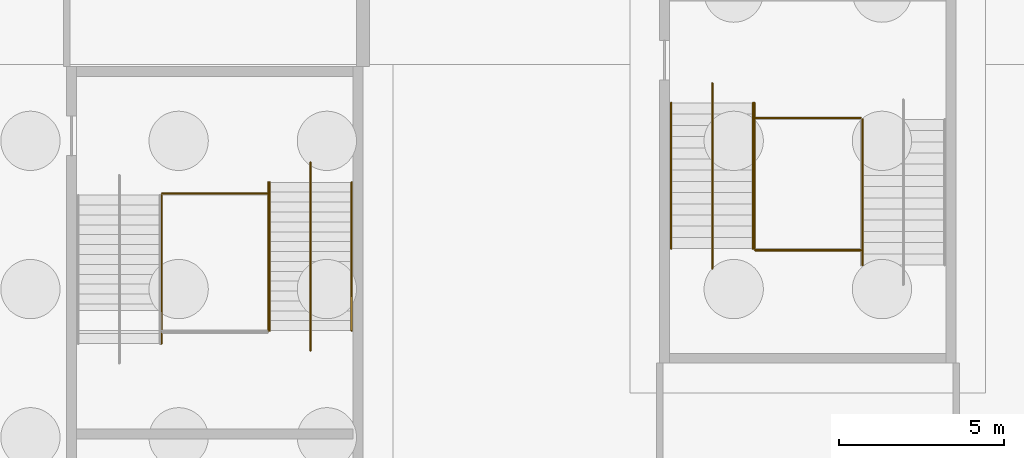
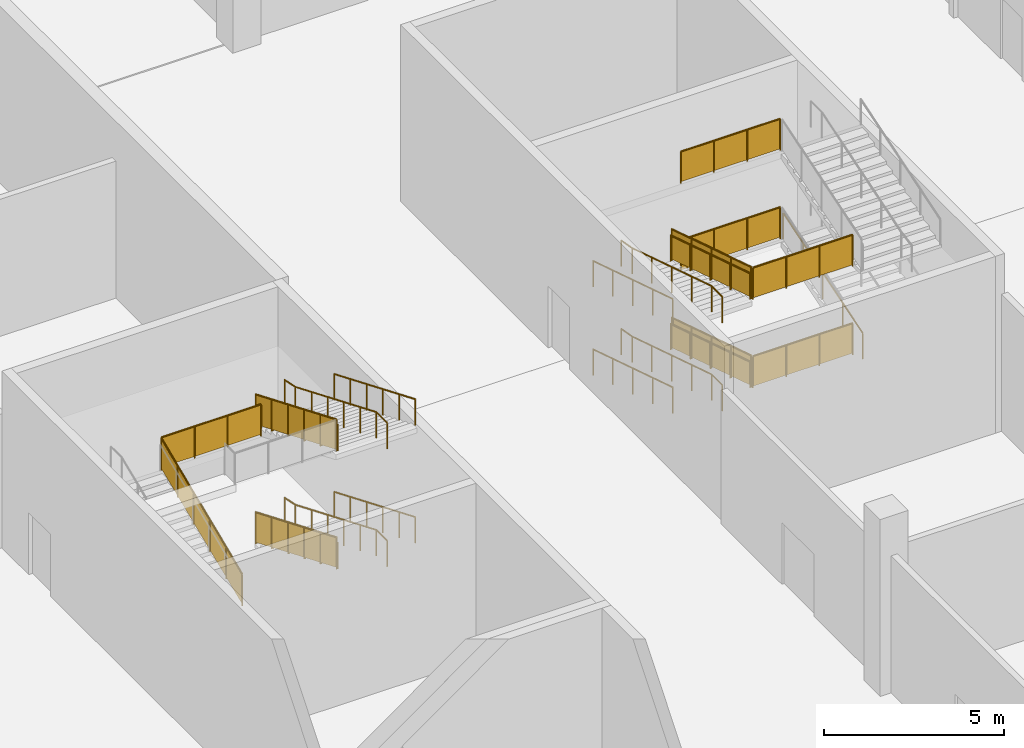
# One storey, part 36 of 42: 23 railings.
"""IFC4 building model written with IfcOpenShell, lengths in metres."""

from ifc_helpers import new_model, si_unit, direction, frame, origin, origin_2d, place, context, subcontext, project, spatial, polyline, circle, outline, extrude, material, type_object, element, save


model = new_model("IFC4")

# Units and contexts
model_context = context("Model", 3, precision=1e-05, world=origin(), true_north=direction((0.0, 1.0)))
body_context = subcontext(model_context, "Body", "Model", "MODEL_VIEW")
ifc_project = project(units=[si_unit("LENGTHUNIT", "METRE"), si_unit("AREAUNIT", "SQUARE_METRE"), si_unit("VOLUMEUNIT", "CUBIC_METRE"), si_unit("PLANEANGLEUNIT", "RADIAN"), si_unit("MASSUNIT", "GRAM", prefix="KILO")], contexts=[model_context])

# Site, building, storey
site_placement = place(None, origin())
site = spatial("IfcSite", under=ifc_project, at=site_placement, CompositionType="ELEMENT")
building_placement = place(site_placement, origin())
building = spatial("IfcBuilding", under=site, at=building_placement, Name="Silverbay Arena", CompositionType="ELEMENT")
storey_placement = place(building_placement, frame((0.0, 0.0, -6.0)))
storey = spatial("IfcBuildingStorey", under=building, at=storey_placement, Name="B1", CompositionType="ELEMENT", Elevation=-6.0)

# Railings
ifc_material_1 = material(Name="Stainless steel", Category="steel")
railing_type_1 = type_object("IfcRailingType", Name="Stair guard 1100", PredefinedType="GUARDRAIL", material=ifc_material_1)
railing_1_placement = place(storey_placement, frame((200.875, 61.899169921875, 0.107177734375)))
element("IfcRailing", 1, at=railing_1_placement, inside=storey, type_object=railing_type_1, Name="Stair ST-E1 B1 to L00 flight 1 guard right", PredefinedType="GUARDRAIL", context=body_context, shape_type="SweptSolid", body=[
    extrude(circle(Radius=0.02392578125, at=origin_2d()), frame((0.0, 0.0, 1.076171875), z_axis=(0.0, -0.953769580967, 0.300538826811), x_axis=(1.0, 0.0, 0.0)), (0.0, 0.0, 1.0), 4.634521484375),
    extrude(outline(polyline([(-0.008056640625, 0.04736328125), (1.113037109375, 0.400634765625), (1.113037109375, 1.40380859375), (-0.008056640625, 1.050537109375), (-0.008056640625, 0.04736328125)])), frame((0.0029296875, 0.0, 0.0), z_axis=(-1.0, 0.0, 0.0), x_axis=(0.0, -1.0, 0.0)), (0.0, 0.0, 1.0), 0.006103515625),
    extrude(outline(polyline([(-0.008056640625, 0.395751953125), (1.113037109375, 0.7490234375), (1.113037109375, 1.751953125), (-0.008056640625, 1.398681640625), (-0.008056640625, 0.395751953125)])), frame((0.0029296875, -1.10498046875, 0.0), z_axis=(-1.0, 0.0, 0.0), x_axis=(0.0, -1.0, 0.0)), (0.0, 0.0, 1.0), 0.006103515625),
    extrude(outline(polyline([(-0.008056640625, 0.743896484375), (1.113037109375, 1.09716796875), (1.113037109375, 2.10009765625), (-0.008056640625, 1.746826171875), (-0.008056640625, 0.743896484375)])), frame((0.0029296875, -2.2099609375, 0.0), z_axis=(-1.0, 0.0, 0.0), x_axis=(0.0, -1.0, 0.0)), (0.0, 0.0, 1.0), 0.006103515625),
    extrude(outline(polyline([(-0.008056640625, 1.092041015625), (1.113037109375, 1.4453125), (1.113037109375, 2.4482421875), (-0.008056640625, 2.09521484375), (-0.008056640625, 1.092041015625)])), frame((0.0029296875, -3.315185546875, 0.0), z_axis=(-1.0, 0.0, 0.0), x_axis=(0.0, -1.0, 0.0)), (0.0, 0.0, 1.0), 0.006103515625),
    extrude(circle(Radius=0.02099609375, at=origin_2d()), origin(), (0.0, 0.0, 1.0), 1.052001953125),
    extrude(circle(Radius=0.02099609375, at=origin_2d()), frame((0.0, -1.10498046875, 0.34814453125)), (0.0, 0.0, 1.0), 1.052001953125),
    extrude(circle(Radius=0.02099609375, at=origin_2d()), frame((0.0, -2.2099609375, 0.6962890625)), (0.0, 0.0, 1.0), 1.052001953125),
    extrude(circle(Radius=0.02099609375, at=origin_2d()), frame((0.0, -3.315185546875, 1.044677734375)), (0.0, 0.0, 1.0), 1.052001953125),
    extrude(circle(Radius=0.02099609375, at=origin_2d()), frame((0.0, -4.420166015625, 1.392822265625)), (0.0, 0.0, 1.0), 1.052001953125),
])
railing_2_placement = place(storey_placement, frame((200.875, 61.899169921875, 3.107177734375)))
element("IfcRailing", 2, at=railing_2_placement, inside=storey, type_object=railing_type_1, Name="Stair ST-E1 B1 to L00 flight 3 guard right", PredefinedType="GUARDRAIL", context=body_context, shape_type="SweptSolid", body=[
    extrude(circle(Radius=0.02392578125, at=origin_2d()), frame((0.0, 0.0, 1.076171875), z_axis=(0.0, -0.953769580967, 0.300538826811), x_axis=(1.0, 0.0, 0.0)), (0.0, 0.0, 1.0), 4.634521484375),
    extrude(outline(polyline([(-0.008056640625, 0.04736328125), (1.113037109375, 0.400634765625), (1.113037109375, 1.40380859375), (-0.008056640625, 1.050537109375), (-0.008056640625, 0.04736328125)])), frame((0.0029296875, 0.0, 0.0), z_axis=(-1.0, 0.0, 0.0), x_axis=(0.0, -1.0, 0.0)), (0.0, 0.0, 1.0), 0.006103515625),
    extrude(outline(polyline([(-0.008056640625, 0.395751953125), (1.113037109375, 0.7490234375), (1.113037109375, 1.751953125), (-0.008056640625, 1.398681640625), (-0.008056640625, 0.395751953125)])), frame((0.0029296875, -1.10498046875, 0.0), z_axis=(-1.0, 0.0, 0.0), x_axis=(0.0, -1.0, 0.0)), (0.0, 0.0, 1.0), 0.006103515625),
    extrude(outline(polyline([(-0.008056640625, 0.743896484375), (1.113037109375, 1.09716796875), (1.113037109375, 2.10009765625), (-0.008056640625, 1.746826171875), (-0.008056640625, 0.743896484375)])), frame((0.0029296875, -2.2099609375, 0.0), z_axis=(-1.0, 0.0, 0.0), x_axis=(0.0, -1.0, 0.0)), (0.0, 0.0, 1.0), 0.006103515625),
    extrude(outline(polyline([(-0.008056640625, 1.092041015625), (1.113037109375, 1.4453125), (1.113037109375, 2.4482421875), (-0.008056640625, 2.09521484375), (-0.008056640625, 1.092041015625)])), frame((0.0029296875, -3.315185546875, 0.0), z_axis=(-1.0, 0.0, 0.0), x_axis=(0.0, -1.0, 0.0)), (0.0, 0.0, 1.0), 0.006103515625),
    extrude(circle(Radius=0.02099609375, at=origin_2d()), origin(), (0.0, 0.0, 1.0), 1.052001953125),
    extrude(circle(Radius=0.02099609375, at=origin_2d()), frame((0.0, -1.10498046875, 0.34814453125)), (0.0, 0.0, 1.0), 1.052001953125),
    extrude(circle(Radius=0.02099609375, at=origin_2d()), frame((0.0, -2.2099609375, 0.6962890625)), (0.0, 0.0, 1.0), 1.052001953125),
    extrude(circle(Radius=0.02099609375, at=origin_2d()), frame((0.0, -3.315185546875, 1.044677734375)), (0.0, 0.0, 1.0), 1.052001953125),
    extrude(circle(Radius=0.02099609375, at=origin_2d()), frame((0.0, -4.420166015625, 1.392822265625)), (0.0, 0.0, 1.0), 1.052001953125),
])
for number, where, name in (
    (3, (200.89990234375, 57.428955078125, 1.5), "Stair ST-E1 B1 to L00 landing 1 guard"),
    (4, (200.89990234375, 61.449951171875, 3.0), "Stair ST-E1 B1 to L00 landing 2 guard"),
    (5, (200.89990234375, 57.428955078125, 4.5), "Stair ST-E1 B1 to L00 landing 3 guard"),
    (6, (200.89990234375, 61.449951171875, 6.0), "Stair ST-E1 B1 to L00 landing 4 guard"),
):
    element("IfcRailing", number, at=place(storey_placement, frame(where)), inside=storey, type_object=railing_type_1, Name=name, PredefinedType="GUARDRAIL", context=body_context, shape_type="SweptSolid", body=[
        extrude(circle(Radius=0.02392578125, at=origin_2d()), frame((0.0, 0.0, 1.076171875), z_axis=(1.0, 0.0, 0.0), x_axis=(0.0, 1.0, 0.0)), (0.0, 0.0, 1.0), 3.2001953125),
        extrude(outline(polyline([(-0.008056640625, 0.050048828125), (1.07470703125, 0.050048828125), (1.07470703125, 1.052978515625), (-0.008056640625, 1.052978515625), (-0.008056640625, 0.050048828125)])), frame((0.0, 0.0029296875, 0.0), z_axis=(0.0, -1.0, 0.0), x_axis=(1.0, 0.0, 0.0)), (0.0, 0.0, 1.0), 0.006103515625),
        extrude(outline(polyline([(-0.008056640625, 0.050048828125), (1.07470703125, 0.050048828125), (1.07470703125, 1.052978515625), (-0.008056640625, 1.052978515625), (-0.008056640625, 0.050048828125)])), frame((1.066650390625, 0.0029296875, 0.0), z_axis=(0.0, -1.0, 0.0), x_axis=(1.0, 0.0, 0.0)), (0.0, 0.0, 1.0), 0.006103515625),
        extrude(outline(polyline([(-0.008056640625, 0.050048828125), (1.07470703125, 0.050048828125), (1.07470703125, 1.052978515625), (-0.008056640625, 1.052978515625), (-0.008056640625, 0.050048828125)])), frame((2.133544921875, 0.0029296875, 0.0), z_axis=(0.0, -1.0, 0.0), x_axis=(1.0, 0.0, 0.0)), (0.0, 0.0, 1.0), 0.006103515625),
        extrude(circle(Radius=0.02099609375, at=origin_2d()), origin(), (0.0, 0.0, 1.0), 1.052001953125),
        extrude(circle(Radius=0.02099609375, at=origin_2d()), frame((1.066650390625, 0.0, 0.0)), (0.0, 0.0, 1.0), 1.052001953125),
        extrude(circle(Radius=0.02099609375, at=origin_2d()), frame((2.133544921875, 0.0, 0.0)), (0.0, 0.0, 1.0), 1.052001953125),
        extrude(circle(Radius=0.02099609375, at=origin_2d()), frame((3.2001953125, 0.0, 0.0)), (0.0, 0.0, 1.0), 1.052001953125),
    ])
railing_3_placement = place(storey_placement, frame((186.125, 59.489990234375, 0.125)))
element("IfcRailing", 7, at=railing_3_placement, inside=storey, type_object=railing_type_1, Name="Stair ST-SE2 B1 to L00 flight 1 guard left", PredefinedType="GUARDRAIL", context=body_context, shape_type="SweptSolid", body=[
    extrude(circle(Radius=0.02392578125, at=origin_2d()), frame((0.0, 0.0, 1.076171875), z_axis=(0.0, -0.923076923077, 0.384615384615), x_axis=(1.0, 0.0, 0.0)), (0.0, 0.0, 1.0), 4.875),
    extrude(outline(polyline([(-0.008056640625, 0.046630859375), (0.907958984375, 0.42822265625), (0.907958984375, 1.431396484375), (-0.008056640625, 1.049560546875), (-0.008056640625, 0.046630859375)])), frame((0.0029296875, 0.0, 0.0), z_axis=(-1.0, 0.0, 0.0), x_axis=(0.0, -1.0, 0.0)), (0.0, 0.0, 1.0), 0.006103515625),
    extrude(outline(polyline([(-0.008056640625, 0.421630859375), (0.907958984375, 0.80322265625), (0.907958984375, 1.806396484375), (-0.008056640625, 1.424560546875), (-0.008056640625, 0.421630859375)])), frame((0.0029296875, -0.89990234375, 0.0), z_axis=(-1.0, 0.0, 0.0), x_axis=(0.0, -1.0, 0.0)), (0.0, 0.0, 1.0), 0.006103515625),
    extrude(outline(polyline([(-0.008056640625, 0.796630859375), (0.907958984375, 1.17822265625), (0.907958984375, 2.181396484375), (-0.008056640625, 1.799560546875), (-0.008056640625, 0.796630859375)])), frame((0.0029296875, -1.800048828125, 0.0), z_axis=(-1.0, 0.0, 0.0), x_axis=(0.0, -1.0, 0.0)), (0.0, 0.0, 1.0), 0.006103515625),
    extrude(outline(polyline([(-0.008056640625, 1.171630859375), (0.907958984375, 1.55322265625), (0.907958984375, 2.556396484375), (-0.008056640625, 2.174560546875), (-0.008056640625, 1.171630859375)])), frame((0.0029296875, -2.699951171875, 0.0), z_axis=(-1.0, 0.0, 0.0), x_axis=(0.0, -1.0, 0.0)), (0.0, 0.0, 1.0), 0.006103515625),
    extrude(outline(polyline([(-0.008056640625, 1.546630859375), (0.907958984375, 1.92822265625), (0.907958984375, 2.931396484375), (-0.008056640625, 2.549560546875), (-0.008056640625, 1.546630859375)])), frame((0.0029296875, -3.60009765625, 0.0), z_axis=(-1.0, 0.0, 0.0), x_axis=(0.0, -1.0, 0.0)), (0.0, 0.0, 1.0), 0.006103515625),
    extrude(circle(Radius=0.02099609375, at=origin_2d()), origin(), (0.0, 0.0, 1.0), 1.052001953125),
    extrude(circle(Radius=0.02099609375, at=origin_2d()), frame((0.0, -0.89990234375, 0.375)), (0.0, 0.0, 1.0), 1.052001953125),
    extrude(circle(Radius=0.02099609375, at=origin_2d()), frame((0.0, -1.800048828125, 0.75)), (0.0, 0.0, 1.0), 1.052001953125),
    extrude(circle(Radius=0.02099609375, at=origin_2d()), frame((0.0, -2.699951171875, 1.125)), (0.0, 0.0, 1.0), 1.052001953125),
    extrude(circle(Radius=0.02099609375, at=origin_2d()), frame((0.0, -3.60009765625, 1.5)), (0.0, 0.0, 1.0), 1.052001953125),
    extrude(circle(Radius=0.02099609375, at=origin_2d()), frame((0.0, -4.5, 1.875)), (0.0, 0.0, 1.0), 1.052001953125),
])
railing_4_placement = place(storey_placement, frame((182.875, 54.60009765625, 2.125)))
element("IfcRailing", 8, at=railing_4_placement, inside=storey, type_object=railing_type_1, Name="Stair ST-SE2 B1 to L00 flight 2 guard right", PredefinedType="GUARDRAIL", context=body_context, shape_type="SweptSolid", body=[
    extrude(circle(Radius=0.02392578125, at=origin_2d()), frame((0.0, 0.0, 1.076171875), z_axis=(0.0, 0.923076923077, 0.384615384615), x_axis=(-1.0, 0.0, 0.0)), (0.0, 0.0, 1.0), 4.875),
    extrude(outline(polyline([(-0.008056640625, 0.046630859375), (0.907958984375, 0.42822265625), (0.907958984375, 1.431396484375), (-0.008056640625, 1.049560546875), (-0.008056640625, 0.046630859375)])), frame((-0.0029296875, 0.0, 0.0), z_axis=(1.0, 0.0, 0.0), x_axis=(0.0, 1.0, 0.0)), (0.0, 0.0, 1.0), 0.006103515625),
    extrude(outline(polyline([(-0.008056640625, 0.421630859375), (0.907958984375, 0.80322265625), (0.907958984375, 1.806396484375), (-0.008056640625, 1.424560546875), (-0.008056640625, 0.421630859375)])), frame((-0.0029296875, 0.89990234375, 0.0), z_axis=(1.0, 0.0, 0.0), x_axis=(0.0, 1.0, 0.0)), (0.0, 0.0, 1.0), 0.006103515625),
    extrude(outline(polyline([(-0.008056640625, 0.796630859375), (0.907958984375, 1.17822265625), (0.907958984375, 2.181396484375), (-0.008056640625, 1.799560546875), (-0.008056640625, 0.796630859375)])), frame((-0.0029296875, 1.800048828125, 0.0), z_axis=(1.0, 0.0, 0.0), x_axis=(0.0, 1.0, 0.0)), (0.0, 0.0, 1.0), 0.006103515625),
    extrude(outline(polyline([(-0.008056640625, 1.171630859375), (0.907958984375, 1.55322265625), (0.907958984375, 2.556396484375), (-0.008056640625, 2.174560546875), (-0.008056640625, 1.171630859375)])), frame((-0.0029296875, 2.699951171875, 0.0), z_axis=(1.0, 0.0, 0.0), x_axis=(0.0, 1.0, 0.0)), (0.0, 0.0, 1.0), 0.006103515625),
    extrude(outline(polyline([(-0.008056640625, 1.546630859375), (0.907958984375, 1.92822265625), (0.907958984375, 2.931396484375), (-0.008056640625, 2.549560546875), (-0.008056640625, 1.546630859375)])), frame((-0.0029296875, 3.60009765625, 0.0), z_axis=(1.0, 0.0, 0.0), x_axis=(0.0, 1.0, 0.0)), (0.0, 0.0, 1.0), 0.006103515625),
    extrude(circle(Radius=0.02099609375, at=origin_2d()), origin(), (0.0, 0.0, 1.0), 1.052001953125),
    extrude(circle(Radius=0.02099609375, at=origin_2d()), frame((0.0, 0.89990234375, 0.375)), (0.0, 0.0, 1.0), 1.052001953125),
    extrude(circle(Radius=0.02099609375, at=origin_2d()), frame((0.0, 1.800048828125, 0.75)), (0.0, 0.0, 1.0), 1.052001953125),
    extrude(circle(Radius=0.02099609375, at=origin_2d()), frame((0.0, 2.699951171875, 1.125)), (0.0, 0.0, 1.0), 1.052001953125),
    extrude(circle(Radius=0.02099609375, at=origin_2d()), frame((0.0, 3.60009765625, 1.5)), (0.0, 0.0, 1.0), 1.052001953125),
    extrude(circle(Radius=0.02099609375, at=origin_2d()), frame((0.0, 4.5, 1.875)), (0.0, 0.0, 1.0), 1.052001953125),
])
railing_5_placement = place(storey_placement, frame((186.125, 59.489990234375, 4.125)))
element("IfcRailing", 9, at=railing_5_placement, inside=storey, type_object=railing_type_1, Name="Stair ST-SE2 B1 to L00 flight 3 guard left", PredefinedType="GUARDRAIL", context=body_context, shape_type="SweptSolid", body=[
    extrude(circle(Radius=0.02392578125, at=origin_2d()), frame((0.0, 0.0, 1.076171875), z_axis=(0.0, -0.923076923077, 0.384615384615), x_axis=(1.0, 0.0, 0.0)), (0.0, 0.0, 1.0), 4.875),
    extrude(outline(polyline([(-0.008056640625, 0.046630859375), (0.907958984375, 0.42822265625), (0.907958984375, 1.431396484375), (-0.008056640625, 1.049560546875), (-0.008056640625, 0.046630859375)])), frame((0.0029296875, 0.0, 0.0), z_axis=(-1.0, 0.0, 0.0), x_axis=(0.0, -1.0, 0.0)), (0.0, 0.0, 1.0), 0.006103515625),
    extrude(outline(polyline([(-0.008056640625, 0.421630859375), (0.907958984375, 0.80322265625), (0.907958984375, 1.806396484375), (-0.008056640625, 1.424560546875), (-0.008056640625, 0.421630859375)])), frame((0.0029296875, -0.89990234375, 0.0), z_axis=(-1.0, 0.0, 0.0), x_axis=(0.0, -1.0, 0.0)), (0.0, 0.0, 1.0), 0.006103515625),
    extrude(outline(polyline([(-0.008056640625, 0.796630859375), (0.907958984375, 1.17822265625), (0.907958984375, 2.181396484375), (-0.008056640625, 1.799560546875), (-0.008056640625, 0.796630859375)])), frame((0.0029296875, -1.800048828125, 0.0), z_axis=(-1.0, 0.0, 0.0), x_axis=(0.0, -1.0, 0.0)), (0.0, 0.0, 1.0), 0.006103515625),
    extrude(outline(polyline([(-0.008056640625, 1.171630859375), (0.907958984375, 1.55322265625), (0.907958984375, 2.556396484375), (-0.008056640625, 2.174560546875), (-0.008056640625, 1.171630859375)])), frame((0.0029296875, -2.699951171875, 0.0), z_axis=(-1.0, 0.0, 0.0), x_axis=(0.0, -1.0, 0.0)), (0.0, 0.0, 1.0), 0.006103515625),
    extrude(outline(polyline([(-0.008056640625, 1.546630859375), (0.907958984375, 1.92822265625), (0.907958984375, 2.931396484375), (-0.008056640625, 2.549560546875), (-0.008056640625, 1.546630859375)])), frame((0.0029296875, -3.60009765625, 0.0), z_axis=(-1.0, 0.0, 0.0), x_axis=(0.0, -1.0, 0.0)), (0.0, 0.0, 1.0), 0.006103515625),
    extrude(circle(Radius=0.02099609375, at=origin_2d()), origin(), (0.0, 0.0, 1.0), 1.052001953125),
    extrude(circle(Radius=0.02099609375, at=origin_2d()), frame((0.0, -0.89990234375, 0.375)), (0.0, 0.0, 1.0), 1.052001953125),
    extrude(circle(Radius=0.02099609375, at=origin_2d()), frame((0.0, -1.800048828125, 0.75)), (0.0, 0.0, 1.0), 1.052001953125),
    extrude(circle(Radius=0.02099609375, at=origin_2d()), frame((0.0, -2.699951171875, 1.125)), (0.0, 0.0, 1.0), 1.052001953125),
    extrude(circle(Radius=0.02099609375, at=origin_2d()), frame((0.0, -3.60009765625, 1.5)), (0.0, 0.0, 1.0), 1.052001953125),
    extrude(circle(Radius=0.02099609375, at=origin_2d()), frame((0.0, -4.5, 1.875)), (0.0, 0.0, 1.0), 1.052001953125),
])
railing_6_placement = place(storey_placement, frame((182.89990234375, 59.14990234375, 4.0)))
element("IfcRailing", 10, at=railing_6_placement, inside=storey, type_object=railing_type_1, Name="Stair ST-SE2 B1 to L00 landing 2 guard", PredefinedType="GUARDRAIL", context=body_context, shape_type="SweptSolid", body=[
    extrude(circle(Radius=0.02392578125, at=origin_2d()), frame((0.0, 0.0, 1.076171875), z_axis=(1.0, 0.0, 0.0), x_axis=(0.0, 1.0, 0.0)), (0.0, 0.0, 1.0), 3.2001953125),
    extrude(outline(polyline([(-0.008056640625, 0.050048828125), (1.07470703125, 0.050048828125), (1.07470703125, 1.052978515625), (-0.008056640625, 1.052978515625), (-0.008056640625, 0.050048828125)])), frame((0.0, 0.0029296875, 0.0), z_axis=(0.0, -1.0, 0.0), x_axis=(1.0, 0.0, 0.0)), (0.0, 0.0, 1.0), 0.006103515625),
    extrude(outline(polyline([(-0.008056640625, 0.050048828125), (1.07470703125, 0.050048828125), (1.07470703125, 1.052978515625), (-0.008056640625, 1.052978515625), (-0.008056640625, 0.050048828125)])), frame((1.066650390625, 0.0029296875, 0.0), z_axis=(0.0, -1.0, 0.0), x_axis=(1.0, 0.0, 0.0)), (0.0, 0.0, 1.0), 0.006103515625),
    extrude(outline(polyline([(-0.008056640625, 0.050048828125), (1.07470703125, 0.050048828125), (1.07470703125, 1.052978515625), (-0.008056640625, 1.052978515625), (-0.008056640625, 0.050048828125)])), frame((2.133544921875, 0.0029296875, 0.0), z_axis=(0.0, -1.0, 0.0), x_axis=(1.0, 0.0, 0.0)), (0.0, 0.0, 1.0), 0.006103515625),
    extrude(circle(Radius=0.02099609375, at=origin_2d()), origin(), (0.0, 0.0, 1.0), 1.052001953125),
    extrude(circle(Radius=0.02099609375, at=origin_2d()), frame((1.066650390625, 0.0, 0.0)), (0.0, 0.0, 1.0), 1.052001953125),
    extrude(circle(Radius=0.02099609375, at=origin_2d()), frame((2.133544921875, 0.0, 0.0)), (0.0, 0.0, 1.0), 1.052001953125),
    extrude(circle(Radius=0.02099609375, at=origin_2d()), frame((3.2001953125, 0.0, 0.0)), (0.0, 0.0, 1.0), 1.052001953125),
])
ifc_material_2 = material(Name="Stainless steel", Category="steel")
railing_type_2 = type_object("IfcRailingType", Name="Stair handrail 900", PredefinedType="HANDRAIL", material=ifc_material_2)
for number, where, name in (
    (11, (198.35009765625, 61.899169921875, 0.107177734375), "Stair ST-E1 B1 to L00 flight 1 handrail left"),
    (12, (200.8359375, 61.899169921875, 0.107177734375), "Stair ST-E1 B1 to L00 flight 1 handrail right"),
):
    element("IfcRailing", number, at=place(storey_placement, frame(where)), inside=storey, type_object=railing_type_2, Name=name, PredefinedType="HANDRAIL", context=body_context, shape_type="SweptSolid", body=[
        extrude(circle(Radius=0.02392578125, at=origin_2d()), frame((0.0, 0.0, 0.8759765625), z_axis=(0.0, -0.953769580967, 0.300538826811), x_axis=(1.0, 0.0, 0.0)), (0.0, 0.0, 1.0), 4.634521484375),
        extrude(circle(Radius=0.02099609375, at=origin_2d()), origin(), (0.0, 0.0, 1.0), 0.851806640625),
        extrude(circle(Radius=0.02099609375, at=origin_2d()), frame((0.0, -1.10498046875, 0.34814453125)), (0.0, 0.0, 1.0), 0.851806640625),
        extrude(circle(Radius=0.02099609375, at=origin_2d()), frame((0.0, -2.2099609375, 0.6962890625)), (0.0, 0.0, 1.0), 0.851806640625),
        extrude(circle(Radius=0.02099609375, at=origin_2d()), frame((0.0, -3.315185546875, 1.044677734375)), (0.0, 0.0, 1.0), 0.851806640625),
        extrude(circle(Radius=0.02099609375, at=origin_2d()), frame((0.0, -4.420166015625, 1.392822265625)), (0.0, 0.0, 1.0), 0.851806640625),
    ])
railing_7_placement = place(storey_placement, frame((199.60009765625, 62.4990234375, 0.0)))
element("IfcRailing", 13, at=railing_7_placement, inside=storey, type_object=railing_type_2, Name="Stair ST-E1 B1 to L00 flight 1 central handrail", PredefinedType="HANDRAIL", context=body_context, shape_type="SweptSolid", body=[
    extrude(circle(Radius=0.02392578125, at=origin_2d()), frame((0.0, 0.0, 0.8759765625), z_axis=(0.0, -0.984410237054, 0.175887706173), x_axis=(1.0, 0.0, 0.0)), (0.0, 0.0, 1.0), 0.609375),
    extrude(circle(Radius=0.02392578125, at=origin_2d()), frame((0.0, -0.599853515625, 0.98291015625), z_axis=(0.0, -0.953769580967, 0.300538826811), x_axis=(1.0, 0.0, 0.0)), (0.0, 0.0, 1.0), 4.634521484375),
    extrude(circle(Radius=0.02392578125, at=origin_2d()), frame((0.0, -5.02001953125, 2.3759765625), z_axis=(0.0, -1.0, 0.0), x_axis=(1.0, 0.0, 0.0)), (0.0, 0.0, 1.0), 0.599853515625),
    extrude(circle(Radius=0.02099609375, at=origin_2d()), origin(), (0.0, 0.0, 1.0), 0.851806640625),
    extrude(circle(Radius=0.02099609375, at=origin_2d()), frame((0.0, -0.599853515625, 0.107177734375)), (0.0, 0.0, 1.0), 0.851806640625),
    extrude(circle(Radius=0.02099609375, at=origin_2d()), frame((0.0, -1.704833984375, 0.455322265625)), (0.0, 0.0, 1.0), 0.851806640625),
    extrude(circle(Radius=0.02099609375, at=origin_2d()), frame((0.0, -2.81005859375, 0.8037109375)), (0.0, 0.0, 1.0), 0.851806640625),
    extrude(circle(Radius=0.02099609375, at=origin_2d()), frame((0.0, -3.9150390625, 1.15185546875)), (0.0, 0.0, 1.0), 0.851806640625),
    extrude(circle(Radius=0.02099609375, at=origin_2d()), frame((0.0, -5.02001953125, 1.5)), (0.0, 0.0, 1.0), 0.851806640625),
    extrude(circle(Radius=0.02099609375, at=origin_2d()), frame((0.0, -5.619873046875, 1.5)), (0.0, 0.0, 1.0), 0.851806640625),
])
railing_8_placement = place(storey_placement, frame((204.1640625, 56.97998046875, 1.607177734375)))
element("IfcRailing", 14, at=railing_8_placement, inside=storey, type_object=railing_type_2, Name="Stair ST-E1 B1 to L00 flight 2 handrail left", PredefinedType="HANDRAIL", context=body_context, shape_type="SweptSolid", body=[
    extrude(circle(Radius=0.02392578125, at=origin_2d()), frame((0.0, 0.0, 0.8759765625), z_axis=(0.0, 0.953764822371, 0.300553927951), x_axis=(-1.0, 0.0, 0.0)), (0.0, 0.0, 1.0), 4.63427734375),
    extrude(circle(Radius=0.02099609375, at=origin_2d()), origin(), (0.0, 0.0, 1.0), 0.851806640625),
    extrude(circle(Radius=0.02099609375, at=origin_2d()), frame((0.0, 1.10498046875, 0.34814453125)), (0.0, 0.0, 1.0), 0.851806640625),
    extrude(circle(Radius=0.02099609375, at=origin_2d()), frame((0.0, 2.2099609375, 0.6962890625)), (0.0, 0.0, 1.0), 0.851806640625),
    extrude(circle(Radius=0.02099609375, at=origin_2d()), frame((0.0, 3.31494140625, 1.044677734375)), (0.0, 0.0, 1.0), 0.851806640625),
    extrude(circle(Radius=0.02099609375, at=origin_2d()), frame((0.0, 4.419921875, 1.392822265625)), (0.0, 0.0, 1.0), 0.851806640625),
])
for number, where, name in (
    (15, (198.35009765625, 61.899169921875, 3.107177734375), "Stair ST-E1 B1 to L00 flight 3 handrail left"),
    (16, (200.8359375, 61.899169921875, 3.107177734375), "Stair ST-E1 B1 to L00 flight 3 handrail right"),
):
    element("IfcRailing", number, at=place(storey_placement, frame(where)), inside=storey, type_object=railing_type_2, Name=name, PredefinedType="HANDRAIL", context=body_context, shape_type="SweptSolid", body=[
        extrude(circle(Radius=0.02392578125, at=origin_2d()), frame((0.0, 0.0, 0.8759765625), z_axis=(0.0, -0.953769580967, 0.300538826811), x_axis=(1.0, 0.0, 0.0)), (0.0, 0.0, 1.0), 4.634521484375),
        extrude(circle(Radius=0.02099609375, at=origin_2d()), origin(), (0.0, 0.0, 1.0), 0.851806640625),
        extrude(circle(Radius=0.02099609375, at=origin_2d()), frame((0.0, -1.10498046875, 0.34814453125)), (0.0, 0.0, 1.0), 0.851806640625),
        extrude(circle(Radius=0.02099609375, at=origin_2d()), frame((0.0, -2.2099609375, 0.6962890625)), (0.0, 0.0, 1.0), 0.851806640625),
        extrude(circle(Radius=0.02099609375, at=origin_2d()), frame((0.0, -3.315185546875, 1.044677734375)), (0.0, 0.0, 1.0), 0.851806640625),
        extrude(circle(Radius=0.02099609375, at=origin_2d()), frame((0.0, -4.420166015625, 1.392822265625)), (0.0, 0.0, 1.0), 0.851806640625),
    ])
railing_9_placement = place(storey_placement, frame((199.60009765625, 62.4990234375, 3.0)))
element("IfcRailing", 17, at=railing_9_placement, inside=storey, type_object=railing_type_2, Name="Stair ST-E1 B1 to L00 flight 3 central handrail", PredefinedType="HANDRAIL", context=body_context, shape_type="SweptSolid", body=[
    extrude(circle(Radius=0.02392578125, at=origin_2d()), frame((0.0, 0.0, 0.8759765625), z_axis=(0.0, -0.984410237054, 0.175887706173), x_axis=(1.0, 0.0, 0.0)), (0.0, 0.0, 1.0), 0.609375),
    extrude(circle(Radius=0.02392578125, at=origin_2d()), frame((0.0, -0.599853515625, 0.98291015625), z_axis=(0.0, -0.953769580967, 0.300538826811), x_axis=(1.0, 0.0, 0.0)), (0.0, 0.0, 1.0), 4.634521484375),
    extrude(circle(Radius=0.02392578125, at=origin_2d()), frame((0.0, -5.02001953125, 2.3759765625), z_axis=(0.0, -1.0, 0.0), x_axis=(1.0, 0.0, 0.0)), (0.0, 0.0, 1.0), 0.599853515625),
    extrude(circle(Radius=0.02099609375, at=origin_2d()), origin(), (0.0, 0.0, 1.0), 0.851806640625),
    extrude(circle(Radius=0.02099609375, at=origin_2d()), frame((0.0, -0.599853515625, 0.107177734375)), (0.0, 0.0, 1.0), 0.851806640625),
    extrude(circle(Radius=0.02099609375, at=origin_2d()), frame((0.0, -1.704833984375, 0.455322265625)), (0.0, 0.0, 1.0), 0.851806640625),
    extrude(circle(Radius=0.02099609375, at=origin_2d()), frame((0.0, -2.81005859375, 0.8037109375)), (0.0, 0.0, 1.0), 0.851806640625),
    extrude(circle(Radius=0.02099609375, at=origin_2d()), frame((0.0, -3.9150390625, 1.15185546875)), (0.0, 0.0, 1.0), 0.851806640625),
    extrude(circle(Radius=0.02099609375, at=origin_2d()), frame((0.0, -5.02001953125, 1.5)), (0.0, 0.0, 1.0), 0.851806640625),
    extrude(circle(Radius=0.02099609375, at=origin_2d()), frame((0.0, -5.619873046875, 1.5)), (0.0, 0.0, 1.0), 0.851806640625),
])
for number, where, name in (
    (18, (186.1640625, 59.489990234375, 0.125), "Stair ST-SE2 B1 to L00 flight 1 handrail left"),
    (19, (188.64990234375, 59.489990234375, 0.125), "Stair ST-SE2 B1 to L00 flight 1 handrail right"),
):
    element("IfcRailing", number, at=place(storey_placement, frame(where)), inside=storey, type_object=railing_type_2, Name=name, PredefinedType="HANDRAIL", context=body_context, shape_type="SweptSolid", body=[
        extrude(circle(Radius=0.02392578125, at=origin_2d()), frame((0.0, 0.0, 0.8759765625), z_axis=(0.0, -0.923076923077, 0.384615384615), x_axis=(1.0, 0.0, 0.0)), (0.0, 0.0, 1.0), 4.875),
        extrude(circle(Radius=0.02099609375, at=origin_2d()), origin(), (0.0, 0.0, 1.0), 0.851806640625),
        extrude(circle(Radius=0.02099609375, at=origin_2d()), frame((0.0, -0.89990234375, 0.375)), (0.0, 0.0, 1.0), 0.851806640625),
        extrude(circle(Radius=0.02099609375, at=origin_2d()), frame((0.0, -1.800048828125, 0.75)), (0.0, 0.0, 1.0), 0.851806640625),
        extrude(circle(Radius=0.02099609375, at=origin_2d()), frame((0.0, -2.699951171875, 1.125)), (0.0, 0.0, 1.0), 0.851806640625),
        extrude(circle(Radius=0.02099609375, at=origin_2d()), frame((0.0, -3.60009765625, 1.5)), (0.0, 0.0, 1.0), 0.851806640625),
        extrude(circle(Radius=0.02099609375, at=origin_2d()), frame((0.0, -4.5, 1.875)), (0.0, 0.0, 1.0), 0.851806640625),
    ])
railing_10_placement = place(storey_placement, frame((187.39990234375, 60.090087890625, 0.0)))
element("IfcRailing", 20, at=railing_10_placement, inside=storey, type_object=railing_type_2, Name="Stair ST-SE2 B1 to L00 flight 1 central handrail", PredefinedType="HANDRAIL", context=body_context, shape_type="SweptSolid", body=[
    extrude(circle(Radius=0.02392578125, at=origin_2d()), frame((0.0, 0.0, 0.8759765625), z_axis=(0.0, -0.978987046276, 0.203922444139), x_axis=(1.0, 0.0, 0.0)), (0.0, 0.0, 1.0), 0.613037109375),
    extrude(circle(Radius=0.02392578125, at=origin_2d()), frame((0.0, -0.60009765625, 1.0009765625), z_axis=(0.0, -0.923076923077, 0.384615384615), x_axis=(1.0, 0.0, 0.0)), (0.0, 0.0, 1.0), 4.875),
    extrude(circle(Radius=0.02392578125, at=origin_2d()), frame((0.0, -5.10009765625, 2.8759765625), z_axis=(0.0, -1.0, 0.0), x_axis=(1.0, 0.0, 0.0)), (0.0, 0.0, 1.0), 0.60009765625),
    extrude(circle(Radius=0.02099609375, at=origin_2d()), origin(), (0.0, 0.0, 1.0), 0.851806640625),
    extrude(circle(Radius=0.02099609375, at=origin_2d()), frame((0.0, -0.60009765625, 0.125)), (0.0, 0.0, 1.0), 0.851806640625),
    extrude(circle(Radius=0.02099609375, at=origin_2d()), frame((0.0, -1.5, 0.5)), (0.0, 0.0, 1.0), 0.851806640625),
    extrude(circle(Radius=0.02099609375, at=origin_2d()), frame((0.0, -2.400146484375, 0.875)), (0.0, 0.0, 1.0), 0.851806640625),
    extrude(circle(Radius=0.02099609375, at=origin_2d()), frame((0.0, -3.300048828125, 1.25)), (0.0, 0.0, 1.0), 0.851806640625),
    extrude(circle(Radius=0.02099609375, at=origin_2d()), frame((0.0, -4.2001953125, 1.625)), (0.0, 0.0, 1.0), 0.851806640625),
    extrude(circle(Radius=0.02099609375, at=origin_2d()), frame((0.0, -5.10009765625, 2.0)), (0.0, 0.0, 1.0), 0.851806640625),
    extrude(circle(Radius=0.02099609375, at=origin_2d()), frame((0.0, -5.7001953125, 2.0)), (0.0, 0.0, 1.0), 0.851806640625),
])
for number, where, name in (
    (21, (186.1640625, 59.489990234375, 4.125), "Stair ST-SE2 B1 to L00 flight 3 handrail left"),
    (22, (188.64990234375, 59.489990234375, 4.125), "Stair ST-SE2 B1 to L00 flight 3 handrail right"),
):
    element("IfcRailing", number, at=place(storey_placement, frame(where)), inside=storey, type_object=railing_type_2, Name=name, PredefinedType="HANDRAIL", context=body_context, shape_type="SweptSolid", body=[
        extrude(circle(Radius=0.02392578125, at=origin_2d()), frame((0.0, 0.0, 0.8759765625), z_axis=(0.0, -0.923076923077, 0.384615384615), x_axis=(1.0, 0.0, 0.0)), (0.0, 0.0, 1.0), 4.875),
        extrude(circle(Radius=0.02099609375, at=origin_2d()), origin(), (0.0, 0.0, 1.0), 0.851806640625),
        extrude(circle(Radius=0.02099609375, at=origin_2d()), frame((0.0, -0.89990234375, 0.375)), (0.0, 0.0, 1.0), 0.851806640625),
        extrude(circle(Radius=0.02099609375, at=origin_2d()), frame((0.0, -1.800048828125, 0.75)), (0.0, 0.0, 1.0), 0.851806640625),
        extrude(circle(Radius=0.02099609375, at=origin_2d()), frame((0.0, -2.699951171875, 1.125)), (0.0, 0.0, 1.0), 0.851806640625),
        extrude(circle(Radius=0.02099609375, at=origin_2d()), frame((0.0, -3.60009765625, 1.5)), (0.0, 0.0, 1.0), 0.851806640625),
        extrude(circle(Radius=0.02099609375, at=origin_2d()), frame((0.0, -4.5, 1.875)), (0.0, 0.0, 1.0), 0.851806640625),
    ])
railing_11_placement = place(storey_placement, frame((187.39990234375, 60.090087890625, 4.0)))
element("IfcRailing", 23, at=railing_11_placement, inside=storey, type_object=railing_type_2, Name="Stair ST-SE2 B1 to L00 flight 3 central handrail", PredefinedType="HANDRAIL", context=body_context, shape_type="SweptSolid", body=[
    extrude(circle(Radius=0.02392578125, at=origin_2d()), frame((0.0, 0.0, 0.8759765625), z_axis=(0.0, -0.978987046276, 0.203922444139), x_axis=(1.0, 0.0, 0.0)), (0.0, 0.0, 1.0), 0.613037109375),
    extrude(circle(Radius=0.02392578125, at=origin_2d()), frame((0.0, -0.60009765625, 1.0009765625), z_axis=(0.0, -0.923076923077, 0.384615384615), x_axis=(1.0, 0.0, 0.0)), (0.0, 0.0, 1.0), 4.875),
    extrude(circle(Radius=0.02392578125, at=origin_2d()), frame((0.0, -5.10009765625, 2.8759765625), z_axis=(0.0, -1.0, 0.0), x_axis=(1.0, 0.0, 0.0)), (0.0, 0.0, 1.0), 0.60009765625),
    extrude(circle(Radius=0.02099609375, at=origin_2d()), origin(), (0.0, 0.0, 1.0), 0.851806640625),
    extrude(circle(Radius=0.02099609375, at=origin_2d()), frame((0.0, -0.60009765625, 0.125)), (0.0, 0.0, 1.0), 0.851806640625),
    extrude(circle(Radius=0.02099609375, at=origin_2d()), frame((0.0, -1.5, 0.5)), (0.0, 0.0, 1.0), 0.851806640625),
    extrude(circle(Radius=0.02099609375, at=origin_2d()), frame((0.0, -2.400146484375, 0.875)), (0.0, 0.0, 1.0), 0.851806640625),
    extrude(circle(Radius=0.02099609375, at=origin_2d()), frame((0.0, -3.300048828125, 1.25)), (0.0, 0.0, 1.0), 0.851806640625),
    extrude(circle(Radius=0.02099609375, at=origin_2d()), frame((0.0, -4.2001953125, 1.625)), (0.0, 0.0, 1.0), 0.851806640625),
    extrude(circle(Radius=0.02099609375, at=origin_2d()), frame((0.0, -5.10009765625, 2.0)), (0.0, 0.0, 1.0), 0.851806640625),
    extrude(circle(Radius=0.02099609375, at=origin_2d()), frame((0.0, -5.7001953125, 2.0)), (0.0, 0.0, 1.0), 0.851806640625),
])

save(model, "model.ifc")
